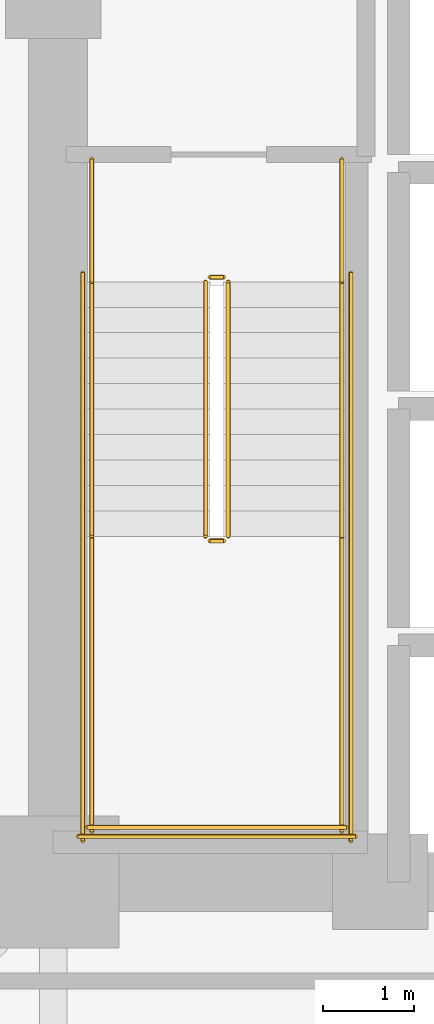
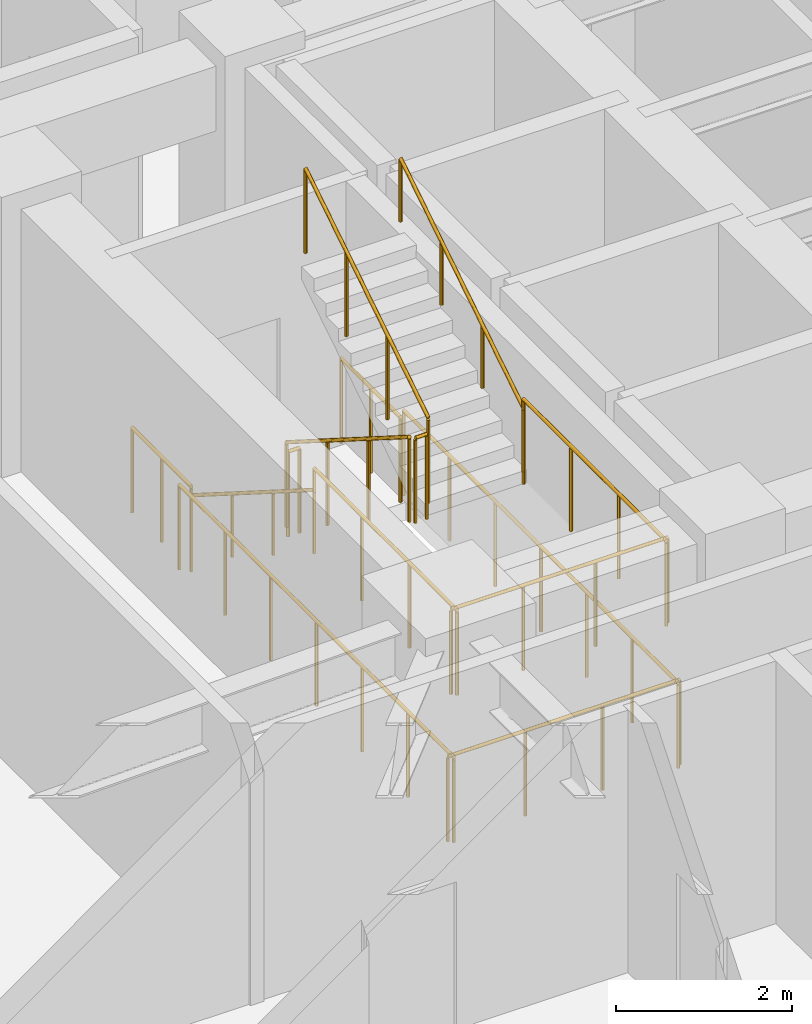
# One storey, part 10 of 12: 14 railings.
"""IFC4 building model written with IfcOpenShell, lengths in metres."""

from ifc_helpers import new_model, si_unit, direction, frame, origin, origin_2d, place, context, subcontext, project, spatial, circle, extrude, material, type_object, element, save


model = new_model("IFC4")

# Units and contexts
model_context = context("Model", 3, precision=1e-05, world=origin(), true_north=direction((0.0, 1.0)))
body_context = subcontext(model_context, "Body", "Model", "MODEL_VIEW")
ifc_project = project(units=[si_unit("LENGTHUNIT", "METRE"), si_unit("AREAUNIT", "SQUARE_METRE"), si_unit("VOLUMEUNIT", "CUBIC_METRE"), si_unit("PLANEANGLEUNIT", "RADIAN"), si_unit("MASSUNIT", "GRAM", prefix="KILO")], contexts=[model_context])

# Site, building, storey
site_placement = place(None, origin())
site = spatial("IfcSite", under=ifc_project, at=site_placement, CompositionType="ELEMENT")
building_placement = place(site_placement, origin())
building = spatial("IfcBuilding", under=site, at=building_placement, Name="Voryun Gate Residences", CompositionType="ELEMENT")
storey_placement = place(building_placement, frame((0.0, 0.0, 41.60009765625)))
storey = spatial("IfcBuildingStorey", under=building, at=storey_placement, Name="L09", CompositionType="ELEMENT", Elevation=41.60009765625)

# Railings
ifc_material_1 = material(Name="Painted steel", Category="steel")
railing_type_1 = type_object("IfcRailingType", Name="RAIL_STAIR_GUARD_1200", PredefinedType="GUARDRAIL", material=ifc_material_1)
railing_1_placement = place(storey_placement, frame((-17.52490234375, -0.800048828125, 0.17724609375)))
element("IfcRailing", 1, at=railing_1_placement, inside=storey, type_object=railing_type_1, Name="L09 ST-W1 stair guard 1", PredefinedType="GUARDRAIL", context=body_context, shape_type="SweptSolid", body=[
    extrude(circle(Radius=0.02392578125, at=origin_2d()), frame((0.0, 0.0, 1.17578125), z_axis=(0.0, -0.844908973607, 0.534910110503), x_axis=(1.0, 0.0, 0.0)), (0.0, 0.0, 1.0), 3.31396484375),
    extrude(circle(Radius=0.02099609375, at=origin_2d()), origin(), (0.0, 0.0, 1.0), 1.15185546875),
    extrude(circle(Radius=0.02099609375, at=origin_2d()), frame((0.0, -0.933349609375, 0.5908203125)), (0.0, 0.0, 1.0), 1.15185546875),
    extrude(circle(Radius=0.02099609375, at=origin_2d()), frame((0.0, -1.86669921875, 1.181884765625)), (0.0, 0.0, 1.0), 1.15185546875),
    extrude(circle(Radius=0.02099609375, at=origin_2d()), frame((0.0, -2.800048828125, 1.772705078125)), (0.0, 0.0, 1.0), 1.15185546875),
])
railing_2_placement = place(storey_placement, frame((-17.47509765625, -3.64990234375, 1.949951171875)))
element("IfcRailing", 2, at=railing_2_placement, inside=storey, type_object=railing_type_1, Name="L09 ST-W1 stair guard 2", PredefinedType="GUARDRAIL", context=body_context, shape_type="SweptSolid", body=[
    extrude(circle(Radius=0.02392578125, at=origin_2d()), frame((0.0, 0.0, 1.17578125), z_axis=(1.0, 0.0, 0.0), x_axis=(0.0, 1.0, 0.0)), (0.0, 0.0, 1.0), 0.150146484375),
    extrude(circle(Radius=0.02099609375, at=origin_2d()), origin(), (0.0, 0.0, 1.0), 1.15185546875),
    extrude(circle(Radius=0.02099609375, at=origin_2d()), frame((0.150146484375, 0.0, 0.0)), (0.0, 0.0, 1.0), 1.15185546875),
])
for number, where, name in (
    (3, (-18.77490234375, -3.60009765625, 1.949951171875), "L09 ST-W1 stair guard 3"),
    (4, (-16.02490234375, -3.60009765625, 1.949951171875), "L09 ST-W1 stair guard 4"),
):
    element("IfcRailing", number, at=place(storey_placement, frame(where)), inside=storey, type_object=railing_type_1, Name=name, PredefinedType="GUARDRAIL", context=body_context, shape_type="SweptSolid", body=[
        extrude(circle(Radius=0.02392578125, at=origin_2d()), frame((0.0, 0.0, 1.17578125), z_axis=(0.0, -1.0, 0.0), x_axis=(1.0, 0.0, 0.0)), (0.0, 0.0, 1.0), 3.25),
        extrude(circle(Radius=0.02099609375, at=origin_2d()), origin(), (0.0, 0.0, 1.0), 1.15185546875),
        extrude(circle(Radius=0.02099609375, at=origin_2d()), frame((0.0, -1.083251953125, 0.0)), (0.0, 0.0, 1.0), 1.15185546875),
        extrude(circle(Radius=0.02099609375, at=origin_2d()), frame((0.0, -2.166748046875, 0.0)), (0.0, 0.0, 1.0), 1.15185546875),
        extrude(circle(Radius=0.02099609375, at=origin_2d()), frame((0.0, -3.25, 0.0)), (0.0, 0.0, 1.0), 1.15185546875),
    ])
railing_3_placement = place(storey_placement, frame((-18.824951171875, -6.800048828125, 1.949951171875)))
element("IfcRailing", 5, at=railing_3_placement, inside=storey, type_object=railing_type_1, Name="L09 ST-W1 stair guard 5", PredefinedType="GUARDRAIL", context=body_context, shape_type="SweptSolid", body=[
    extrude(circle(Radius=0.02392578125, at=origin_2d()), frame((0.0, 0.0, 1.17578125), z_axis=(1.0, 0.0, 0.0), x_axis=(0.0, 1.0, 0.0)), (0.0, 0.0, 1.0), 2.849853515625),
    extrude(circle(Radius=0.02099609375, at=origin_2d()), origin(), (0.0, 0.0, 1.0), 1.15185546875),
    extrude(circle(Radius=0.02099609375, at=origin_2d()), frame((0.949951171875, 0.0, 0.0)), (0.0, 0.0, 1.0), 1.15185546875),
    extrude(circle(Radius=0.02099609375, at=origin_2d()), frame((1.89990234375, 0.0, 0.0)), (0.0, 0.0, 1.0), 1.15185546875),
    extrude(circle(Radius=0.02099609375, at=origin_2d()), frame((2.849853515625, 0.0, 0.0)), (0.0, 0.0, 1.0), 1.15185546875),
])
railing_4_placement = place(storey_placement, frame((-17.27490234375, -3.60009765625, 2.127197265625)))
element("IfcRailing", 6, at=railing_4_placement, inside=storey, type_object=railing_type_1, Name="L09 ST-W1 stair guard 6", PredefinedType="GUARDRAIL", context=body_context, shape_type="SweptSolid", body=[
    extrude(circle(Radius=0.02392578125, at=origin_2d()), frame((0.0, 0.0, 1.17578125), z_axis=(0.0, 0.844908973607, 0.534910110503), x_axis=(-1.0, 0.0, 0.0)), (0.0, 0.0, 1.0), 3.31396484375),
    extrude(circle(Radius=0.02099609375, at=origin_2d()), origin(), (0.0, 0.0, 1.0), 1.15185546875),
    extrude(circle(Radius=0.02099609375, at=origin_2d()), frame((0.0, 0.933349609375, 0.5908203125)), (0.0, 0.0, 1.0), 1.15185546875),
    extrude(circle(Radius=0.02099609375, at=origin_2d()), frame((0.0, 1.86669921875, 1.181884765625)), (0.0, 0.0, 1.0), 1.15185546875),
    extrude(circle(Radius=0.02099609375, at=origin_2d()), frame((0.0, 2.800048828125, 1.772705078125)), (0.0, 0.0, 1.0), 1.15185546875),
])
railing_5_placement = place(storey_placement, frame((-17.47509765625, -0.75, 0.0)))
element("IfcRailing", 7, at=railing_5_placement, inside=storey, type_object=railing_type_1, Name="L09 ST-W1 stair guard 7", PredefinedType="GUARDRAIL", context=body_context, shape_type="SweptSolid", body=[
    extrude(circle(Radius=0.02392578125, at=origin_2d()), frame((0.0, 0.0, 1.17578125), z_axis=(1.0, 0.0, 0.0), x_axis=(0.0, 1.0, 0.0)), (0.0, 0.0, 1.0), 0.150146484375),
    extrude(circle(Radius=0.02099609375, at=origin_2d()), origin(), (0.0, 0.0, 1.0), 1.15185546875),
    extrude(circle(Radius=0.02099609375, at=origin_2d()), frame((0.150146484375, 0.0, 0.0)), (0.0, 0.0, 1.0), 1.15185546875),
])
for number, where, name in (
    (8, (-18.77490234375, 0.550048828125, 0.0), "L09 ST-W1 stair guard 8"),
    (9, (-16.02490234375, 0.550048828125, 0.0), "L09 ST-W1 stair guard 9"),
):
    element("IfcRailing", number, at=place(storey_placement, frame(where)), inside=storey, type_object=railing_type_1, Name=name, PredefinedType="GUARDRAIL", context=body_context, shape_type="SweptSolid", body=[
        extrude(circle(Radius=0.02392578125, at=origin_2d()), frame((0.0, 0.0, 1.17578125), z_axis=(0.0, -1.0, 0.0), x_axis=(1.0, 0.0, 0.0)), (0.0, 0.0, 1.0), 1.35009765625),
        extrude(circle(Radius=0.02099609375, at=origin_2d()), origin(), (0.0, 0.0, 1.0), 1.15185546875),
        extrude(circle(Radius=0.02099609375, at=origin_2d()), frame((0.0, -0.675048828125, 0.0)), (0.0, 0.0, 1.0), 1.15185546875),
        extrude(circle(Radius=0.02099609375, at=origin_2d()), frame((0.0, -1.35009765625, 0.0)), (0.0, 0.0, 1.0), 1.15185546875),
    ])
for number, where, name in (
    (10, (-18.875, -0.699951171875, 0.0), "L09 ST-W1 stair guard 10"),
    (11, (-15.925048828125, -0.699951171875, 0.0), "L09 ST-W1 stair guard 11"),
):
    element("IfcRailing", number, at=place(storey_placement, frame(where)), inside=storey, type_object=railing_type_1, Name=name, PredefinedType="GUARDRAIL", context=body_context, shape_type="SweptSolid", body=[
        extrude(circle(Radius=0.02392578125, at=origin_2d()), frame((0.0, 0.0, 1.17578125), z_axis=(0.0, -1.0, 0.0), x_axis=(1.0, 0.0, 0.0)), (0.0, 0.0, 1.0), 6.25),
        extrude(circle(Radius=0.02099609375, at=origin_2d()), origin(), (0.0, 0.0, 1.0), 1.15185546875),
        extrude(circle(Radius=0.02099609375, at=origin_2d()), frame((0.0, -1.041748046875, 0.0)), (0.0, 0.0, 1.0), 1.15185546875),
        extrude(circle(Radius=0.02099609375, at=origin_2d()), frame((0.0, -2.083251953125, 0.0)), (0.0, 0.0, 1.0), 1.15185546875),
        extrude(circle(Radius=0.02099609375, at=origin_2d()), frame((0.0, -3.125, 0.0)), (0.0, 0.0, 1.0), 1.15185546875),
        extrude(circle(Radius=0.02099609375, at=origin_2d()), frame((0.0, -4.166748046875, 0.0)), (0.0, 0.0, 1.0), 1.15185546875),
        extrude(circle(Radius=0.02099609375, at=origin_2d()), frame((0.0, -5.208251953125, 0.0)), (0.0, 0.0, 1.0), 1.15185546875),
        extrude(circle(Radius=0.02099609375, at=origin_2d()), frame((0.0, -6.25, 0.0)), (0.0, 0.0, 1.0), 1.15185546875),
    ])
railing_6_placement = place(storey_placement, frame((-18.925048828125, -6.89990234375, 0.0)))
element("IfcRailing", 12, at=railing_6_placement, inside=storey, type_object=railing_type_1, Name="L09 ST-W1 stair guard 12", PredefinedType="GUARDRAIL", context=body_context, shape_type="SweptSolid", body=[
    extrude(circle(Radius=0.02392578125, at=origin_2d()), frame((0.0, 0.0, 1.17578125), z_axis=(1.0, 0.0, 0.0), x_axis=(0.0, 1.0, 0.0)), (0.0, 0.0, 1.0), 3.050048828125),
    extrude(circle(Radius=0.02099609375, at=origin_2d()), origin(), (0.0, 0.0, 1.0), 1.15185546875),
    extrude(circle(Radius=0.02099609375, at=origin_2d()), frame((1.0166015625, 0.0, 0.0)), (0.0, 0.0, 1.0), 1.15185546875),
    extrude(circle(Radius=0.02099609375, at=origin_2d()), frame((2.033447265625, 0.0, 0.0)), (0.0, 0.0, 1.0), 1.15185546875),
    extrude(circle(Radius=0.02099609375, at=origin_2d()), frame((3.050048828125, 0.0, 0.0)), (0.0, 0.0, 1.0), 1.15185546875),
])
ifc_material_2 = material(Name="Painted steel", Category="steel")
railing_type_2 = type_object("IfcRailingType", Name="RAIL_STAIR_HANDRAIL_900", PredefinedType="HANDRAIL", material=ifc_material_2)
railing_7_placement = place(storey_placement, frame((-18.77490234375, -0.800048828125, 0.17724609375)))
element("IfcRailing", 13, at=railing_7_placement, inside=storey, type_object=railing_type_2, Name="L09 ST-W1 stair handrail 1", PredefinedType="HANDRAIL", context=body_context, shape_type="SweptSolid", body=[
    extrude(circle(Radius=0.02392578125, at=origin_2d()), frame((0.0, 0.0, 0.8759765625), z_axis=(0.0, -0.844908973607, 0.534910110503), x_axis=(1.0, 0.0, 0.0)), (0.0, 0.0, 1.0), 3.31396484375),
    extrude(circle(Radius=0.02099609375, at=origin_2d()), origin(), (0.0, 0.0, 1.0), 0.851806640625),
    extrude(circle(Radius=0.02099609375, at=origin_2d()), frame((0.0, -0.933349609375, 0.5908203125)), (0.0, 0.0, 1.0), 0.851806640625),
    extrude(circle(Radius=0.02099609375, at=origin_2d()), frame((0.0, -1.86669921875, 1.181884765625)), (0.0, 0.0, 1.0), 0.851806640625),
    extrude(circle(Radius=0.02099609375, at=origin_2d()), frame((0.0, -2.800048828125, 1.772705078125)), (0.0, 0.0, 1.0), 0.851806640625),
])
railing_8_placement = place(storey_placement, frame((-16.02490234375, -3.60009765625, 2.127197265625)))
element("IfcRailing", 14, at=railing_8_placement, inside=storey, type_object=railing_type_2, Name="L09 ST-W1 stair handrail 2", PredefinedType="HANDRAIL", context=body_context, shape_type="SweptSolid", body=[
    extrude(circle(Radius=0.02392578125, at=origin_2d()), frame((0.0, 0.0, 0.8759765625), z_axis=(0.0, 0.844908973607, 0.534910110503), x_axis=(-1.0, 0.0, 0.0)), (0.0, 0.0, 1.0), 3.31396484375),
    extrude(circle(Radius=0.02099609375, at=origin_2d()), origin(), (0.0, 0.0, 1.0), 0.851806640625),
    extrude(circle(Radius=0.02099609375, at=origin_2d()), frame((0.0, 0.933349609375, 0.5908203125)), (0.0, 0.0, 1.0), 0.851806640625),
    extrude(circle(Radius=0.02099609375, at=origin_2d()), frame((0.0, 1.86669921875, 1.181884765625)), (0.0, 0.0, 1.0), 0.851806640625),
    extrude(circle(Radius=0.02099609375, at=origin_2d()), frame((0.0, 2.800048828125, 1.772705078125)), (0.0, 0.0, 1.0), 0.851806640625),
])

save(model, "model.ifc")
